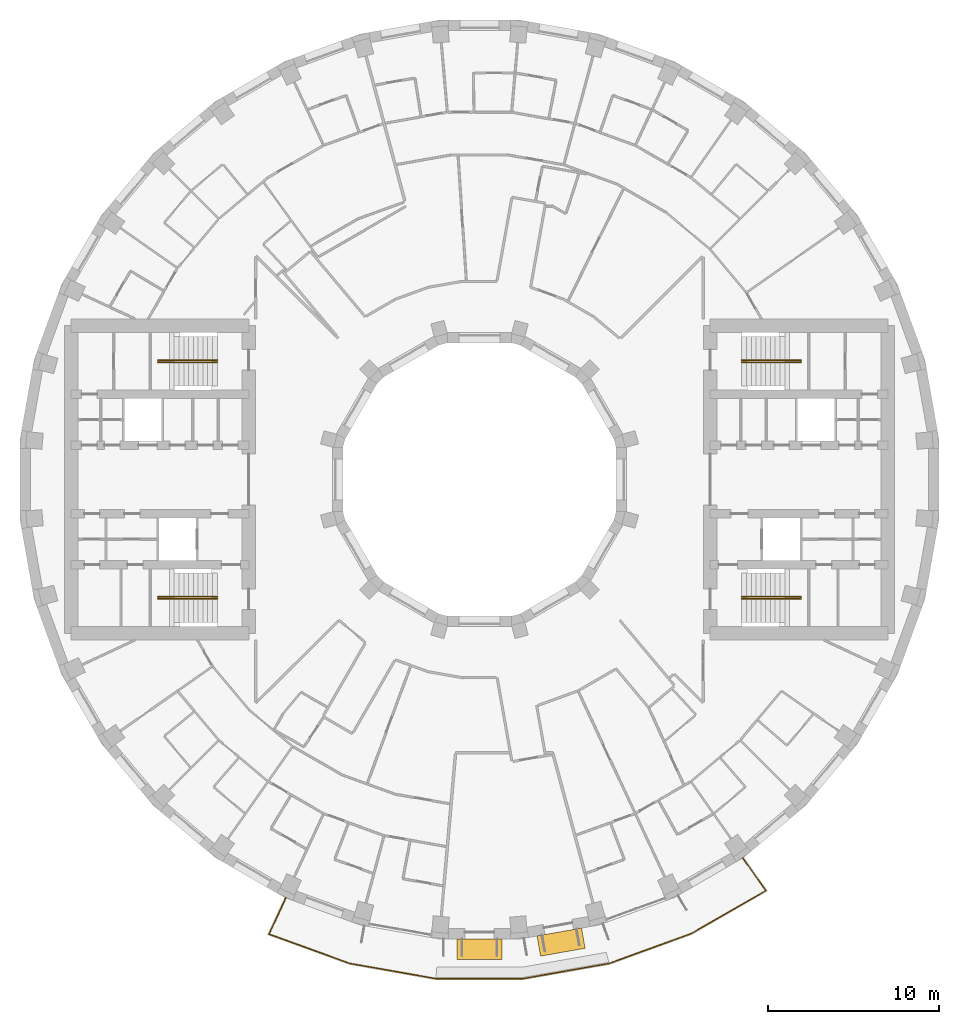
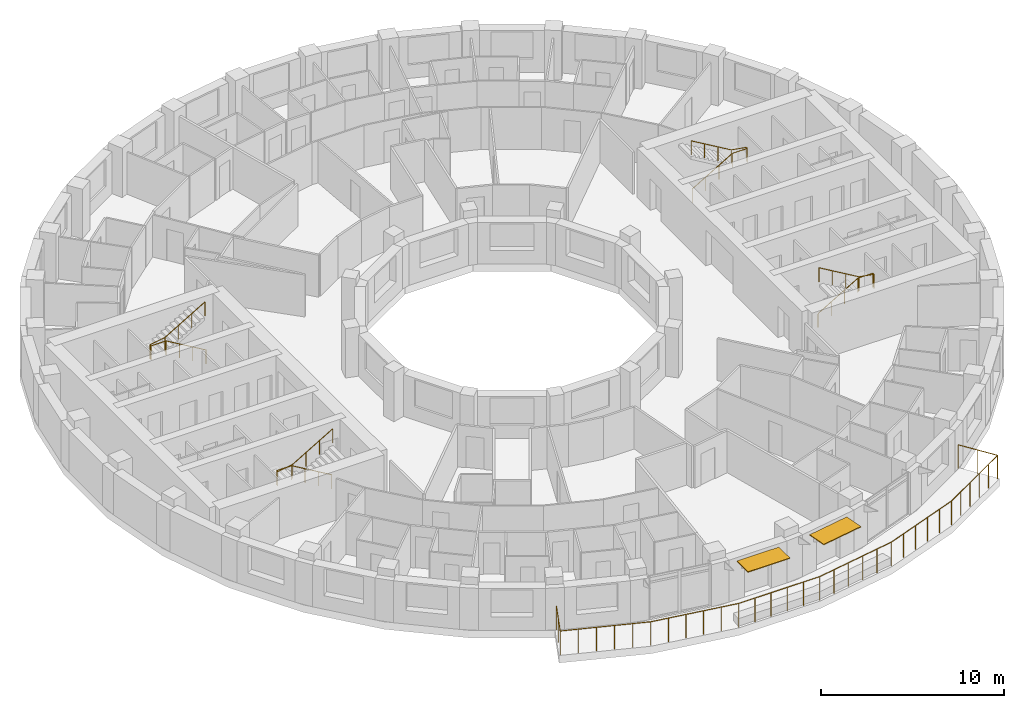
# One storey, part 16 of 16: 5 railings, 2 shading devices.
"""IFC4 building model written with IfcOpenShell, lengths in metres."""

import ifcopenshell
import ifcopenshell.guid

model = None  # the IFC model being written
_history = None  # IfcOwnerHistory: only IFC2X3 demands one
_inside = {}  # id of a spatial element -> (the spatial element, [elements in it])
_under = {}  # id of a project, library or spatial element -> (it, [spatial elements below it])
_declared = {}  # id of a project -> (the project, [libraries it declares])
_typed = {}  # id of a type object -> (the type object, [elements of that type])
_made_of = {}  # id of a material, layer set ... -> (it, [elements and type objects made of it])


def new_model(schema):
    """Start an empty IFC model of exactly this schema.

    Asked for "IFC4X3", IfcOpenShell would pick the latest addendum, in which some entities
    have other attributes; the version numbers below select the first issue.
    IFC2X3 requires an IfcOwnerHistory on every rooted entity: one is made here for all.
    """
    global model, _history
    if schema == "IFC4X3":
        model = ifcopenshell.file(schema_version=(4, 3, 0, 0))
    else:
        model = ifcopenshell.file(schema=schema)
    _inside.clear()
    _under.clear()
    _declared.clear()
    _typed.clear()
    _made_of.clear()
    _history = None
    if model.schema == "IFC2X3":
        org = make("IfcOrganization", Name="unknown")
        user = make(
            "IfcPersonAndOrganization",
            ThePerson=make("IfcPerson", FamilyName="unknown"),
            TheOrganization=org,
        )
        app = make(
            "IfcApplication",
            ApplicationDeveloper=org,
            Version="unknown",
            ApplicationFullName="unknown",
            ApplicationIdentifier="unknown",
        )
        _history = make(
            "IfcOwnerHistory",
            OwningUser=user,
            OwningApplication=app,
            ChangeAction="ADDED",
            CreationDate=0,
        )
    return model


def make(cls, **values):
    """One entity of the class cls with the attributes given. An attribute that is None is left unset."""
    return model.create_entity(
        cls, **{name: value for name, value in values.items() if value is not None}
    )


def rooted(cls, **values):
    """An entity with a GlobalId (a new one), such as an element, a storey or a relation."""
    return make(cls, GlobalId=ifcopenshell.guid.new(), OwnerHistory=_history, **values)


def si_unit(unit_type, name, prefix=None):
    """IfcSIUnit, for example si_unit("LENGTHUNIT", "METRE", prefix="MILLI")."""
    return make("IfcSIUnit", UnitType=unit_type, Prefix=prefix, Name=name)


def assignment(units):
    """IfcUnitAssignment: the units of a project."""
    return None if units is None else make("IfcUnitAssignment", Units=units)


def point(xyz):
    """IfcCartesianPoint."""
    return None if xyz is None else make("IfcCartesianPoint", Coordinates=xyz)


def direction(xyz):
    """IfcDirection."""
    return None if xyz is None else make("IfcDirection", DirectionRatios=xyz)


def frame(location, z_axis=None, x_axis=None):
    """IfcAxis2Placement3D, a coordinate frame: its origin and axes. An axis left out is left unset."""
    return make(
        "IfcAxis2Placement3D",
        Location=point(location),
        Axis=direction(z_axis),
        RefDirection=direction(x_axis),
    )


def frame_2d(location, x_axis=None):
    """IfcAxis2Placement2D, a coordinate frame in the plane: its origin and x axis."""
    return make(
        "IfcAxis2Placement2D", Location=point(location), RefDirection=direction(x_axis)
    )


def origin():
    """The frame at (0, 0, 0) with its axes left unset."""
    return frame((0.0, 0.0, 0.0))


def origin_2d():
    """The frame at (0, 0) in the plane with its x axis left unset."""
    return frame_2d((0.0, 0.0))


def place(relative_to, where):
    """IfcLocalPlacement: puts the frame where relative to a parent placement (None: the world)."""
    return make(
        "IfcLocalPlacement", PlacementRelTo=relative_to, RelativePlacement=where
    )


def context(
    kind, dimensions, precision=None, world=None, true_north=None, identifier=None
):
    """IfcGeometricRepresentationContext, for example the 3D "Model" context."""
    return make(
        "IfcGeometricRepresentationContext",
        ContextIdentifier=identifier,
        ContextType=kind,
        CoordinateSpaceDimension=dimensions,
        Precision=precision,
        WorldCoordinateSystem=world,
        TrueNorth=true_north,
    )


def subcontext(parent, identifier, kind, view, scale=None):
    """IfcGeometricRepresentationSubContext, for example "Body" below "Model"."""
    return make(
        "IfcGeometricRepresentationSubContext",
        ContextIdentifier=identifier,
        ContextType=kind,
        ParentContext=parent,
        TargetScale=scale,
        TargetView=view,
    )


def project(units=None, contexts=None):
    """IfcProject with its units and contexts."""
    return rooted(
        "IfcProject",
        Name="project",
        RepresentationContexts=contexts,
        UnitsInContext=assignment(units),
    )


def spatial(cls, under=None, at=None, **own):
    """A site, building, storey or space (cls), placed at a placement, below another one or the project."""
    s = rooted(cls, ObjectPlacement=at, **own)
    if under is not None:
        _under.setdefault(under.id(), (under, []))[1].append(s)
    return s


def profile(cls, at=None, kind="AREA", **sizes):
    """A parametric profile (cls). Its sizes go by their IFC names, for example OverallWidth=200.0."""
    return make(cls, ProfileType=kind, Position=at, **sizes)


def rectangle(**sizes):
    """IfcRectangleProfileDef."""
    return profile("IfcRectangleProfileDef", **sizes)


def circle(**sizes):
    """IfcCircleProfileDef."""
    return profile("IfcCircleProfileDef", **sizes)


def extrude(swept, where, along, depth):
    """IfcExtrudedAreaSolid: the profile swept, set in the frame where, extruded along a direction by depth."""
    return make(
        "IfcExtrudedAreaSolid",
        SweptArea=swept,
        Position=where,
        ExtrudedDirection=direction(along),
        Depth=depth,
    )


def shape(context_of_items, identifier, shape_type, items):
    """IfcShapeRepresentation: the items that make up one representation, for example the "Body"."""
    return make(
        "IfcShapeRepresentation",
        ContextOfItems=context_of_items,
        RepresentationIdentifier=identifier,
        RepresentationType=shape_type,
        Items=items,
    )


def material(Name=None, Category=None):
    """IfcMaterial."""
    return make("IfcMaterial", Name=Name, Category=Category)


def layer(
    of_material, thickness, ventilated=None, Name=None, Category=None, Priority=None
):
    """IfcMaterialLayer: one layer of a wall or slab, of a material (None: an air gap)."""
    return make(
        "IfcMaterialLayer",
        Material=of_material,
        LayerThickness=thickness,
        IsVentilated=ventilated,
        Name=Name,
        Category=Category,
        Priority=Priority,
    )


def layer_set(layers, Name=None):
    """IfcMaterialLayerSet."""
    return make("IfcMaterialLayerSet", MaterialLayers=layers, LayerSetName=Name)


def made_of(thing, what):
    """Note that an element or type object is made of a material, layer set ...; save() writes the relation."""
    if what is not None:
        _made_of.setdefault(what.id(), (what, []))[1].append(thing)
    return thing


def type_object(cls, material=None, **own):
    """A type object (cls), such as IfcWallType, which elements share."""
    return made_of(rooted(cls, **own), material)


def element(
    cls,
    number,
    at=None,
    inside=None,
    cuts=None,
    type_object=None,
    material=None,
    context=None,
    identifier="Body",
    shape_type=None,
    held_by="IfcProductDefinitionShape",
    body=None,
    shapes=None,
    **own,
):
    """One element of the class cls, such as IfcWall. Its Tag is "e" and its number.

    at: its placement. inside: the storey or other place that contains it. cuts: it is an
    opening in that element (IfcRelVoidsElement). A single representation is given by context,
    identifier, shape_type and body (its items); several are given by shapes. held_by: the class
    of the entity that holds the representations. save() writes the other relations.
    """
    e = rooted(cls, Tag="e%d" % number, ObjectPlacement=at, **own)
    if body is not None:
        shapes = [shape(context, identifier, shape_type, body)]
    if shapes is not None:
        e.Representation = make(held_by, Representations=shapes)
    if inside is not None:
        _inside.setdefault(inside.id(), (inside, []))[1].append(e)
    if cuts is not None:
        rooted(
            "IfcRelVoidsElement", RelatingBuildingElement=cuts, RelatedOpeningElement=e
        )
    if type_object is not None:
        _typed.setdefault(type_object.id(), (type_object, []))[1].append(e)
    return made_of(e, material)


def aggregate(whole, parts):
    """IfcRelAggregates: a whole, such as a stair, and the parts it consists of."""
    return rooted("IfcRelAggregates", RelatingObject=whole, RelatedObjects=parts)


def save(model, path):
    """Write the relations noted so far, then the file.

    IfcRelAggregates (storeys below a building ...), IfcRelContainedInSpatialStructure (elements
    in a storey), IfcRelDefinesByType, IfcRelAssociatesMaterial and IfcRelDeclares: one each for
    every whole, place, type object, material and project.
    """
    for whole, parts in _under.values():
        aggregate(whole, parts)
    for where, things in _inside.values():
        rooted(
            "IfcRelContainedInSpatialStructure",
            RelatedElements=things,
            RelatingStructure=where,
        )
    for kind, things in _typed.values():
        rooted("IfcRelDefinesByType", RelatedObjects=things, RelatingType=kind)
    for what, things in _made_of.values():
        rooted("IfcRelAssociatesMaterial", RelatedObjects=things, RelatingMaterial=what)
    for by, libraries in _declared.values():
        rooted("IfcRelDeclares", RelatingContext=by, RelatedDefinitions=libraries)
    model.write(path)


model = new_model("IFC4")

# Units and contexts
model_context = context("Model", 3, precision=1e-05, world=origin(), true_north=direction((0.0, 1.0)))
body_context = subcontext(model_context, "Body", "Model", "MODEL_VIEW")
ifc_project = project(units=[si_unit("LENGTHUNIT", "METRE"), si_unit("AREAUNIT", "SQUARE_METRE"), si_unit("VOLUMEUNIT", "CUBIC_METRE"), si_unit("PLANEANGLEUNIT", "RADIAN"), si_unit("MASSUNIT", "GRAM", prefix="KILO")], contexts=[model_context])

# Site, building, storey
site_placement = place(None, origin())
site = spatial("IfcSite", under=ifc_project, at=site_placement, CompositionType="ELEMENT")
building_placement = place(site_placement, origin())
building = spatial("IfcBuilding", under=site, at=building_placement, Name="Saqina Gate Tower", CompositionType="ELEMENT")
storey_placement = place(building_placement, frame((0.0, 0.0, 141.39990234375)))
storey = spatial("IfcBuildingStorey", under=building, at=storey_placement, Name="L40", CompositionType="ELEMENT", Elevation=141.39990234375)

# Shading devices
ifc_material_1 = material(Name="Aluminium and fabric awning", Category="aluminium")
ifc_layer = layer(ifc_material_1, 0.050048828125)
ifc_layer_set = layer_set([ifc_layer], Name="AW-TERRACE")
shading_device_type = type_object("IfcShadingDeviceType", Name="AW-TERRACE", PredefinedType="AWNING", material=ifc_layer_set)
for number, where, z_axis, x_axis, name in (
    (1, (0.0, -27.497314453125, 2.52490234375), (0.0, 0.0, 1.0), (1.0, 0.0, 0.0), "Terrace awning L40 facet 27"),
    (2, (4.77490234375, -27.07958984375, 2.52490234375), (0.0, 0.0, 1.0), (0.984807753012, 0.173648177667, 0.0), "Terrace awning L40 facet 28"),
):
    element("IfcShadingDevice", number, at=place(storey_placement, frame(where, z_axis=z_axis, x_axis=x_axis)), inside=storey, type_object=shading_device_type, Name=name, PredefinedType="AWNING", context=body_context, shape_type="SweptSolid", body=[
        extrude(rectangle(XDim=2.647705078125, YDim=1.199951171875, at=origin_2d()), origin(), (0.0, 0.0, 1.0), 0.050048828125),
    ])

# Railings
ifc_material_2 = material(Name="Stainless steel", Category="steel")
railing_type_1 = type_object("IfcRailingType", Name="RL-TERRACE", PredefinedType="GUARDRAIL", material=ifc_material_2)
railing_1_placement = place(storey_placement, frame((-11.312744140625, -24.44970703125, 0.0)))
element("IfcRailing", 3, at=railing_1_placement, inside=storey, type_object=railing_type_1, Name="Terrace guard L40", PredefinedType="GUARDRAIL", context=body_context, shape_type="SweptSolid", body=[
    extrude(circle(Radius=0.02392578125, at=origin_2d()), frame((0.0, 0.0, 1.576171875), z_axis=(-0.422684046048, -0.906277108403, 0.0), x_axis=(0.906277108403, -0.422684046048, 0.0)), (0.0, 0.0, 1.0), 2.388916015625),
    extrude(circle(Radius=0.02392578125, at=origin_2d()), frame((-1.009765625, -2.1650390625, 1.576171875), z_axis=(0.940161124594, -0.340730186221, 0.0), x_axis=(0.340730186221, 0.940161124594, 0.0)), (0.0, 0.0, 1.0), 5.032958984375),
    extrude(circle(Radius=0.02392578125, at=origin_2d()), frame((3.721923828125, -3.8798828125, 1.576171875), z_axis=(0.984809508757, -0.173638220049, 0.0), x_axis=(0.173638220049, 0.984809508757, 0.0)), (0.0, 0.0, 1.0), 5.1123046875),
    extrude(circle(Radius=0.02392578125, at=origin_2d()), frame((8.756591796875, -4.767578125, 1.576171875), z_axis=(1.0, 0.0, 0.0), x_axis=(0.0, 1.0, 0.0)), (0.0, 0.0, 1.0), 5.1123046875),
    extrude(circle(Radius=0.02392578125, at=origin_2d()), frame((13.868896484375, -4.767578125, 1.576171875), z_axis=(0.984809508757, 0.173638220049, 0.0), x_axis=(-0.173638220049, 0.984809508757, 0.0)), (0.0, 0.0, 1.0), 5.1123046875),
    extrude(circle(Radius=0.02392578125, at=origin_2d()), frame((18.903564453125, -3.8798828125, 1.576171875), z_axis=(0.939695786518, 0.342011445423, 0.0), x_axis=(-0.342011445423, 0.939695786518, 0.0)), (0.0, 0.0, 1.0), 5.112548828125),
    extrude(circle(Radius=0.02392578125, at=origin_2d()), frame((23.707763671875, -2.13134765625, 1.576171875), z_axis=(0.866716521415, 0.498801033986, 0.0), x_axis=(-0.498801033986, 0.866716521415, 0.0)), (0.0, 0.0, 1.0), 5.032470703125),
    extrude(circle(Radius=0.02392578125, at=origin_2d()), frame((28.069580078125, 0.37890625, 1.576171875), z_axis=(-0.573517212768, 0.819193509898, 0.0), x_axis=(-0.819193509898, -0.573517212768, 0.0)), (0.0, 0.0, 1.0), 2.388916015625),
    extrude(circle(Radius=0.02099609375, at=origin_2d()), origin(), (0.0, 0.0, 1.0), 1.552001953125),
    extrude(circle(Radius=0.02099609375, at=origin_2d()), frame((-0.5048828125, -1.08251953125, 0.0)), (0.0, 0.0, 1.0), 1.552001953125),
    extrude(circle(Radius=0.02099609375, at=origin_2d()), frame((-1.009765625, -2.1650390625, 0.0)), (0.0, 0.0, 1.0), 1.552001953125),
    extrude(circle(Radius=0.02099609375, at=origin_2d()), frame((-0.0634765625, -2.508056640625, 0.0)), (0.0, 0.0, 1.0), 1.552001953125),
    extrude(circle(Radius=0.02099609375, at=origin_2d()), frame((0.8828125, -2.85107421875, 0.0)), (0.0, 0.0, 1.0), 1.552001953125),
    extrude(circle(Radius=0.02099609375, at=origin_2d()), frame((1.829345703125, -3.19384765625, 0.0)), (0.0, 0.0, 1.0), 1.552001953125),
    extrude(circle(Radius=0.02099609375, at=origin_2d()), frame((2.775634765625, -3.536865234375, 0.0)), (0.0, 0.0, 1.0), 1.552001953125),
    extrude(circle(Radius=0.02099609375, at=origin_2d()), frame((3.721923828125, -3.8798828125, 0.0)), (0.0, 0.0, 1.0), 1.552001953125),
    extrude(circle(Radius=0.02099609375, at=origin_2d()), frame((4.728759765625, -4.057373046875, 0.0)), (0.0, 0.0, 1.0), 1.552001953125),
    extrude(circle(Radius=0.02099609375, at=origin_2d()), frame((5.73583984375, -4.23486328125, 0.0)), (0.0, 0.0, 1.0), 1.552001953125),
    extrude(circle(Radius=0.02099609375, at=origin_2d()), frame((6.74267578125, -4.41259765625, 0.0)), (0.0, 0.0, 1.0), 1.552001953125),
    extrude(circle(Radius=0.02099609375, at=origin_2d()), frame((7.749755859375, -4.590087890625, 0.0)), (0.0, 0.0, 1.0), 1.552001953125),
    extrude(circle(Radius=0.02099609375, at=origin_2d()), frame((8.756591796875, -4.767578125, 0.0)), (0.0, 0.0, 1.0), 1.552001953125),
    extrude(circle(Radius=0.02099609375, at=origin_2d()), frame((9.779052734375, -4.767578125, 0.0)), (0.0, 0.0, 1.0), 1.552001953125),
    extrude(circle(Radius=0.02099609375, at=origin_2d()), frame((10.801513671875, -4.767578125, 0.0)), (0.0, 0.0, 1.0), 1.552001953125),
    extrude(circle(Radius=0.02099609375, at=origin_2d()), frame((11.823974609375, -4.767578125, 0.0)), (0.0, 0.0, 1.0), 1.552001953125),
    extrude(circle(Radius=0.02099609375, at=origin_2d()), frame((12.846435546875, -4.767578125, 0.0)), (0.0, 0.0, 1.0), 1.552001953125),
    extrude(circle(Radius=0.02099609375, at=origin_2d()), frame((13.868896484375, -4.767578125, 0.0)), (0.0, 0.0, 1.0), 1.552001953125),
    extrude(circle(Radius=0.02099609375, at=origin_2d()), frame((14.875732421875, -4.590087890625, 0.0)), (0.0, 0.0, 1.0), 1.552001953125),
    extrude(circle(Radius=0.02099609375, at=origin_2d()), frame((15.8828125, -4.41259765625, 0.0)), (0.0, 0.0, 1.0), 1.552001953125),
    extrude(circle(Radius=0.02099609375, at=origin_2d()), frame((16.8896484375, -4.23486328125, 0.0)), (0.0, 0.0, 1.0), 1.552001953125),
    extrude(circle(Radius=0.02099609375, at=origin_2d()), frame((17.896728515625, -4.057373046875, 0.0)), (0.0, 0.0, 1.0), 1.552001953125),
    extrude(circle(Radius=0.02099609375, at=origin_2d()), frame((18.903564453125, -3.8798828125, 0.0)), (0.0, 0.0, 1.0), 1.552001953125),
    extrude(circle(Radius=0.02099609375, at=origin_2d()), frame((19.864501953125, -3.5302734375, 0.0)), (0.0, 0.0, 1.0), 1.552001953125),
    extrude(circle(Radius=0.02099609375, at=origin_2d()), frame((20.8251953125, -3.180419921875, 0.0)), (0.0, 0.0, 1.0), 1.552001953125),
    extrude(circle(Radius=0.02099609375, at=origin_2d()), frame((21.7861328125, -2.830810546875, 0.0)), (0.0, 0.0, 1.0), 1.552001953125),
    extrude(circle(Radius=0.02099609375, at=origin_2d()), frame((22.746826171875, -2.48095703125, 0.0)), (0.0, 0.0, 1.0), 1.552001953125),
    extrude(circle(Radius=0.02099609375, at=origin_2d()), frame((23.707763671875, -2.13134765625, 0.0)), (0.0, 0.0, 1.0), 1.552001953125),
    extrude(circle(Radius=0.02099609375, at=origin_2d()), frame((24.580078125, -1.62939453125, 0.0)), (0.0, 0.0, 1.0), 1.552001953125),
    extrude(circle(Radius=0.02099609375, at=origin_2d()), frame((25.452392578125, -1.127197265625, 0.0)), (0.0, 0.0, 1.0), 1.552001953125),
    extrude(circle(Radius=0.02099609375, at=origin_2d()), frame((26.324951171875, -0.625244140625, 0.0)), (0.0, 0.0, 1.0), 1.552001953125),
    extrude(circle(Radius=0.02099609375, at=origin_2d()), frame((27.197265625, -0.123046875, 0.0)), (0.0, 0.0, 1.0), 1.552001953125),
    extrude(circle(Radius=0.02099609375, at=origin_2d()), frame((28.069580078125, 0.37890625, 0.0)), (0.0, 0.0, 1.0), 1.552001953125),
    extrude(circle(Radius=0.02099609375, at=origin_2d()), frame((27.384521484375, 1.357421875, 0.0)), (0.0, 0.0, 1.0), 1.552001953125),
    extrude(circle(Radius=0.02099609375, at=origin_2d()), frame((26.699462890625, 2.3359375, 0.0)), (0.0, 0.0, 1.0), 1.552001953125),
])
ifc_material_3 = material(Name="Stainless steel", Category="steel")
railing_type_2 = type_object("IfcRailingType", Name="STAIR HANDRAIL", PredefinedType="HANDRAIL", material=ifc_material_3)
railing_2_placement = place(storey_placement, frame((15.35009765625, 6.86669921875, 0.1650390625)))
element("IfcRailing", 4, at=railing_2_placement, inside=storey, type_object=railing_type_2, Name="EXIT STAIR 1 HANDRAIL", PredefinedType="HANDRAIL", context=body_context, shape_type="SweptSolid", body=[
    extrude(circle(Radius=0.02392578125, at=origin_2d()), frame((0.0, 0.0, 0.92578125), z_axis=(0.86152411907, 0.0, 0.507716645641), x_axis=(0.0, 1.0, 0.0)), (0.0, 0.0, 1.0), 2.925048828125),
    extrude(circle(Radius=0.02392578125, at=origin_2d()), frame((2.52001953125, 0.0, 2.4111328125), z_axis=(1.0, 0.0, 0.0), x_axis=(0.0, 1.0, 0.0)), (0.0, 0.0, 1.0), 0.949951171875),
    extrude(circle(Radius=0.02392578125, at=origin_2d()), frame((3.469970703125, 0.0, 2.4111328125), z_axis=(0.0, 1.0, 0.0), x_axis=(-1.0, 0.0, 0.0)), (0.0, 0.0, 1.0), 0.11669921875),
    extrude(circle(Radius=0.02392578125, at=origin_2d()), frame((3.469970703125, 0.11669921875, 2.4111328125), z_axis=(-0.985241474778, 0.0, 0.171170197109), x_axis=(0.0, -1.0, 0.0)), (0.0, 0.0, 1.0), 0.964111328125),
    extrude(circle(Radius=0.02392578125, at=origin_2d()), frame((2.52001953125, 0.11669921875, 2.576171875), z_axis=(-0.861560626758, 0.0, 0.507654692109), x_axis=(0.0, -1.0, 0.0)), (0.0, 0.0, 1.0), 2.925048828125),
    extrude(circle(Radius=0.02099609375, at=origin_2d()), origin(), (0.0, 0.0, 1.0), 0.90185546875),
    extrude(circle(Radius=0.02099609375, at=origin_2d()), frame((0.840087890625, 0.0, 0.4951171875)), (0.0, 0.0, 1.0), 0.90185546875),
    extrude(circle(Radius=0.02099609375, at=origin_2d()), frame((1.679931640625, 0.0, 0.989990234375)), (0.0, 0.0, 1.0), 0.90185546875),
    extrude(circle(Radius=0.02099609375, at=origin_2d()), frame((2.52001953125, 0.0, 1.485107421875)), (0.0, 0.0, 1.0), 0.90185546875),
    extrude(circle(Radius=0.02099609375, at=origin_2d()), frame((3.469970703125, 0.0, 1.485107421875)), (0.0, 0.0, 1.0), 0.90185546875),
    extrude(circle(Radius=0.02099609375, at=origin_2d()), frame((3.469970703125, 0.11669921875, 1.485107421875)), (0.0, 0.0, 1.0), 0.90185546875),
    extrude(circle(Radius=0.02099609375, at=origin_2d()), frame((2.52001953125, 0.11669921875, 1.650146484375)), (0.0, 0.0, 1.0), 0.90185546875),
    extrude(circle(Radius=0.02099609375, at=origin_2d()), frame((1.679931640625, 0.11669921875, 2.14501953125)), (0.0, 0.0, 1.0), 0.90185546875),
    extrude(circle(Radius=0.02099609375, at=origin_2d()), frame((0.840087890625, 0.11669921875, 2.64013671875)), (0.0, 0.0, 1.0), 0.90185546875),
    extrude(circle(Radius=0.02099609375, at=origin_2d()), frame((0.0, 0.11669921875, 3.135009765625)), (0.0, 0.0, 1.0), 0.90185546875),
])
railing_3_placement = place(storey_placement, frame((15.35009765625, -6.86669921875, 0.1650390625)))
element("IfcRailing", 5, at=railing_3_placement, inside=storey, type_object=railing_type_2, Name="EXIT STAIR 2 HANDRAIL", PredefinedType="HANDRAIL", context=body_context, shape_type="SweptSolid", body=[
    extrude(circle(Radius=0.02392578125, at=origin_2d()), frame((0.0, 0.0, 0.92578125), z_axis=(0.86152411907, 0.0, 0.507716645641), x_axis=(0.0, 1.0, 0.0)), (0.0, 0.0, 1.0), 2.925048828125),
    extrude(circle(Radius=0.02392578125, at=origin_2d()), frame((2.52001953125, 0.0, 2.4111328125), z_axis=(1.0, 0.0, 0.0), x_axis=(0.0, 1.0, 0.0)), (0.0, 0.0, 1.0), 0.949951171875),
    extrude(circle(Radius=0.02392578125, at=origin_2d()), frame((3.469970703125, 0.0, 2.4111328125), z_axis=(0.0, -1.0, 0.0), x_axis=(1.0, 0.0, 0.0)), (0.0, 0.0, 1.0), 0.11669921875),
    extrude(circle(Radius=0.02392578125, at=origin_2d()), frame((3.469970703125, -0.11669921875, 2.4111328125), z_axis=(-0.985241474778, 0.0, 0.171170197109), x_axis=(0.0, -1.0, 0.0)), (0.0, 0.0, 1.0), 0.964111328125),
    extrude(circle(Radius=0.02392578125, at=origin_2d()), frame((2.52001953125, -0.11669921875, 2.576171875), z_axis=(-0.861560626758, 0.0, 0.507654692109), x_axis=(0.0, -1.0, 0.0)), (0.0, 0.0, 1.0), 2.925048828125),
    extrude(circle(Radius=0.02099609375, at=origin_2d()), origin(), (0.0, 0.0, 1.0), 0.90185546875),
    extrude(circle(Radius=0.02099609375, at=origin_2d()), frame((0.840087890625, 0.0, 0.4951171875)), (0.0, 0.0, 1.0), 0.90185546875),
    extrude(circle(Radius=0.02099609375, at=origin_2d()), frame((1.679931640625, 0.0, 0.989990234375)), (0.0, 0.0, 1.0), 0.90185546875),
    extrude(circle(Radius=0.02099609375, at=origin_2d()), frame((2.52001953125, 0.0, 1.485107421875)), (0.0, 0.0, 1.0), 0.90185546875),
    extrude(circle(Radius=0.02099609375, at=origin_2d()), frame((3.469970703125, 0.0, 1.485107421875)), (0.0, 0.0, 1.0), 0.90185546875),
    extrude(circle(Radius=0.02099609375, at=origin_2d()), frame((3.469970703125, -0.11669921875, 1.485107421875)), (0.0, 0.0, 1.0), 0.90185546875),
    extrude(circle(Radius=0.02099609375, at=origin_2d()), frame((2.52001953125, -0.11669921875, 1.650146484375)), (0.0, 0.0, 1.0), 0.90185546875),
    extrude(circle(Radius=0.02099609375, at=origin_2d()), frame((1.679931640625, -0.11669921875, 2.14501953125)), (0.0, 0.0, 1.0), 0.90185546875),
    extrude(circle(Radius=0.02099609375, at=origin_2d()), frame((0.840087890625, -0.11669921875, 2.64013671875)), (0.0, 0.0, 1.0), 0.90185546875),
    extrude(circle(Radius=0.02099609375, at=origin_2d()), frame((0.0, -0.11669921875, 3.135009765625)), (0.0, 0.0, 1.0), 0.90185546875),
])
railing_4_placement = place(storey_placement, frame((-15.35009765625, 6.86669921875, 0.1650390625)))
element("IfcRailing", 6, at=railing_4_placement, inside=storey, type_object=railing_type_2, Name="EXIT STAIR 3 HANDRAIL", PredefinedType="HANDRAIL", context=body_context, shape_type="SweptSolid", body=[
    extrude(circle(Radius=0.02392578125, at=origin_2d()), frame((0.0, 0.0, 0.92578125), z_axis=(-0.86152411907, 0.0, 0.507716645641), x_axis=(0.0, -1.0, 0.0)), (0.0, 0.0, 1.0), 2.925048828125),
    extrude(circle(Radius=0.02392578125, at=origin_2d()), frame((-2.52001953125, 0.0, 2.4111328125), z_axis=(-1.0, 0.0, 0.0), x_axis=(0.0, -1.0, 0.0)), (0.0, 0.0, 1.0), 0.949951171875),
    extrude(circle(Radius=0.02392578125, at=origin_2d()), frame((-3.469970703125, 0.0, 2.4111328125), z_axis=(0.0, 1.0, 0.0), x_axis=(-1.0, 0.0, 0.0)), (0.0, 0.0, 1.0), 0.11669921875),
    extrude(circle(Radius=0.02392578125, at=origin_2d()), frame((-3.469970703125, 0.11669921875, 2.4111328125), z_axis=(0.985241474778, 0.0, 0.171170197109), x_axis=(0.0, 1.0, 0.0)), (0.0, 0.0, 1.0), 0.964111328125),
    extrude(circle(Radius=0.02392578125, at=origin_2d()), frame((-2.52001953125, 0.11669921875, 2.576171875), z_axis=(0.861560626758, 0.0, 0.507654692109), x_axis=(0.0, 1.0, 0.0)), (0.0, 0.0, 1.0), 2.925048828125),
    extrude(circle(Radius=0.02099609375, at=origin_2d()), origin(), (0.0, 0.0, 1.0), 0.90185546875),
    extrude(circle(Radius=0.02099609375, at=origin_2d()), frame((-0.840087890625, 0.0, 0.4951171875)), (0.0, 0.0, 1.0), 0.90185546875),
    extrude(circle(Radius=0.02099609375, at=origin_2d()), frame((-1.679931640625, 0.0, 0.989990234375)), (0.0, 0.0, 1.0), 0.90185546875),
    extrude(circle(Radius=0.02099609375, at=origin_2d()), frame((-2.52001953125, 0.0, 1.485107421875)), (0.0, 0.0, 1.0), 0.90185546875),
    extrude(circle(Radius=0.02099609375, at=origin_2d()), frame((-3.469970703125, 0.0, 1.485107421875)), (0.0, 0.0, 1.0), 0.90185546875),
    extrude(circle(Radius=0.02099609375, at=origin_2d()), frame((-3.469970703125, 0.11669921875, 1.485107421875)), (0.0, 0.0, 1.0), 0.90185546875),
    extrude(circle(Radius=0.02099609375, at=origin_2d()), frame((-2.52001953125, 0.11669921875, 1.650146484375)), (0.0, 0.0, 1.0), 0.90185546875),
    extrude(circle(Radius=0.02099609375, at=origin_2d()), frame((-1.679931640625, 0.11669921875, 2.14501953125)), (0.0, 0.0, 1.0), 0.90185546875),
    extrude(circle(Radius=0.02099609375, at=origin_2d()), frame((-0.840087890625, 0.11669921875, 2.64013671875)), (0.0, 0.0, 1.0), 0.90185546875),
    extrude(circle(Radius=0.02099609375, at=origin_2d()), frame((0.0, 0.11669921875, 3.135009765625)), (0.0, 0.0, 1.0), 0.90185546875),
])
railing_5_placement = place(storey_placement, frame((-15.35009765625, -6.86669921875, 0.1650390625)))
element("IfcRailing", 7, at=railing_5_placement, inside=storey, type_object=railing_type_2, Name="EXIT STAIR 4 HANDRAIL", PredefinedType="HANDRAIL", context=body_context, shape_type="SweptSolid", body=[
    extrude(circle(Radius=0.02392578125, at=origin_2d()), frame((0.0, 0.0, 0.92578125), z_axis=(-0.86152411907, 0.0, 0.507716645641), x_axis=(0.0, -1.0, 0.0)), (0.0, 0.0, 1.0), 2.925048828125),
    extrude(circle(Radius=0.02392578125, at=origin_2d()), frame((-2.52001953125, 0.0, 2.4111328125), z_axis=(-1.0, 0.0, 0.0), x_axis=(0.0, -1.0, 0.0)), (0.0, 0.0, 1.0), 0.949951171875),
    extrude(circle(Radius=0.02392578125, at=origin_2d()), frame((-3.469970703125, 0.0, 2.4111328125), z_axis=(0.0, -1.0, 0.0), x_axis=(1.0, 0.0, 0.0)), (0.0, 0.0, 1.0), 0.11669921875),
    extrude(circle(Radius=0.02392578125, at=origin_2d()), frame((-3.469970703125, -0.11669921875, 2.4111328125), z_axis=(0.985241474778, 0.0, 0.171170197109), x_axis=(0.0, 1.0, 0.0)), (0.0, 0.0, 1.0), 0.964111328125),
    extrude(circle(Radius=0.02392578125, at=origin_2d()), frame((-2.52001953125, -0.11669921875, 2.576171875), z_axis=(0.861560626758, 0.0, 0.507654692109), x_axis=(0.0, 1.0, 0.0)), (0.0, 0.0, 1.0), 2.925048828125),
    extrude(circle(Radius=0.02099609375, at=origin_2d()), origin(), (0.0, 0.0, 1.0), 0.90185546875),
    extrude(circle(Radius=0.02099609375, at=origin_2d()), frame((-0.840087890625, 0.0, 0.4951171875)), (0.0, 0.0, 1.0), 0.90185546875),
    extrude(circle(Radius=0.02099609375, at=origin_2d()), frame((-1.679931640625, 0.0, 0.989990234375)), (0.0, 0.0, 1.0), 0.90185546875),
    extrude(circle(Radius=0.02099609375, at=origin_2d()), frame((-2.52001953125, 0.0, 1.485107421875)), (0.0, 0.0, 1.0), 0.90185546875),
    extrude(circle(Radius=0.02099609375, at=origin_2d()), frame((-3.469970703125, 0.0, 1.485107421875)), (0.0, 0.0, 1.0), 0.90185546875),
    extrude(circle(Radius=0.02099609375, at=origin_2d()), frame((-3.469970703125, -0.11669921875, 1.485107421875)), (0.0, 0.0, 1.0), 0.90185546875),
    extrude(circle(Radius=0.02099609375, at=origin_2d()), frame((-2.52001953125, -0.11669921875, 1.650146484375)), (0.0, 0.0, 1.0), 0.90185546875),
    extrude(circle(Radius=0.02099609375, at=origin_2d()), frame((-1.679931640625, -0.11669921875, 2.14501953125)), (0.0, 0.0, 1.0), 0.90185546875),
    extrude(circle(Radius=0.02099609375, at=origin_2d()), frame((-0.840087890625, -0.11669921875, 2.64013671875)), (0.0, 0.0, 1.0), 0.90185546875),
    extrude(circle(Radius=0.02099609375, at=origin_2d()), frame((0.0, -0.11669921875, 3.135009765625)), (0.0, 0.0, 1.0), 0.90185546875),
])

save(model, "model.ifc")
